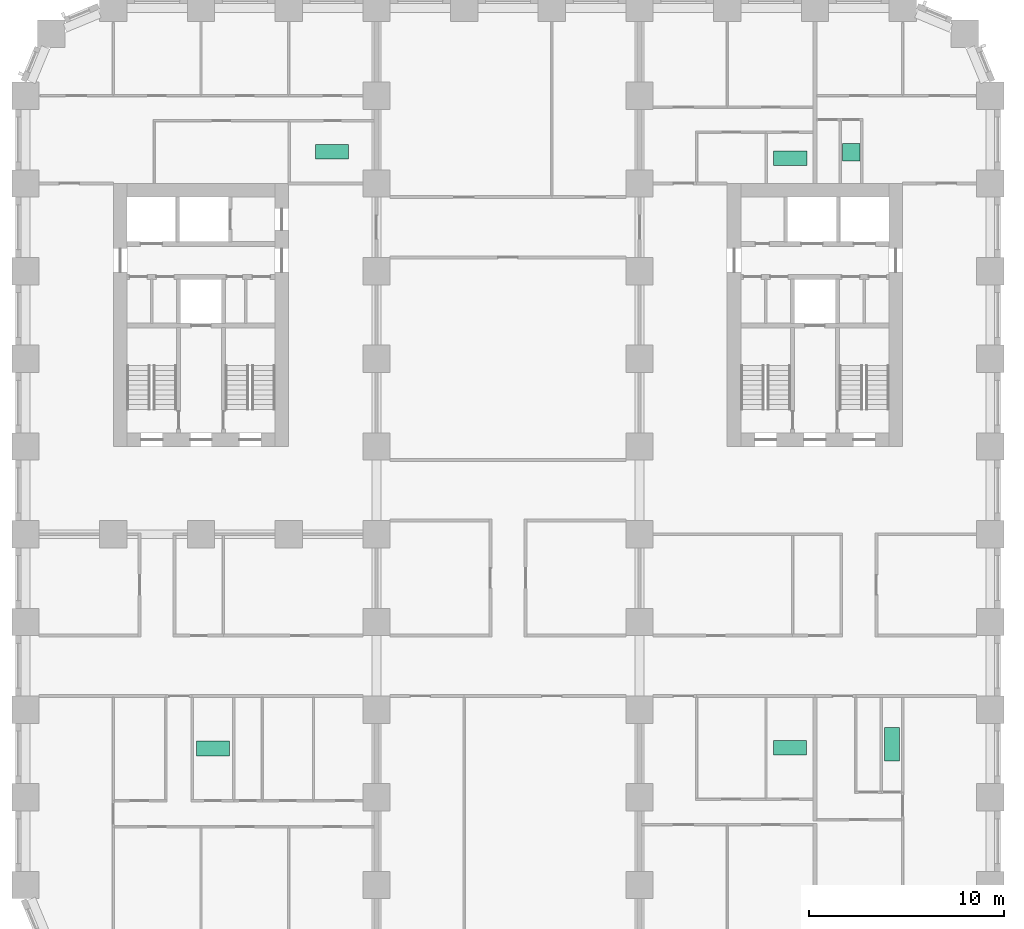
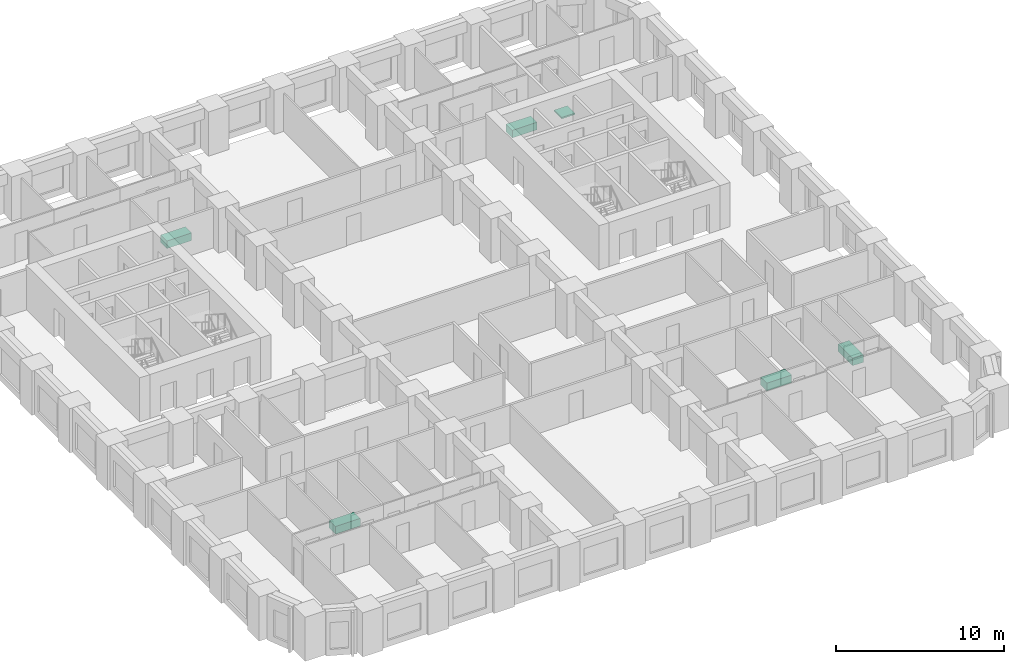
# One storey, part 12 of 12: 6 sanitary terminals.
"""IFC4 building model written with IfcOpenShell, lengths in metres."""

from ifc_helpers import new_model, si_unit, direction, frame, origin, origin_2d, place, context, subcontext, project, spatial, rectangle, extrude, material, type_object, element, save


model = new_model("IFC4")

# Units and contexts
model_context = context("Model", 3, precision=1e-05, world=origin(), true_north=direction((0.0, 1.0)))
body_context = subcontext(model_context, "Body", "Model", "MODEL_VIEW")
ifc_project = project(units=[si_unit("LENGTHUNIT", "METRE"), si_unit("AREAUNIT", "SQUARE_METRE"), si_unit("VOLUMEUNIT", "CUBIC_METRE"), si_unit("PLANEANGLEUNIT", "RADIAN"), si_unit("MASSUNIT", "GRAM", prefix="KILO")], contexts=[model_context])

# Site, building, storey
site_placement = place(None, origin())
site = spatial("IfcSite", under=ifc_project, at=site_placement, CompositionType="ELEMENT")
building_placement = place(site_placement, origin())
building = spatial("IfcBuilding", under=site, at=building_placement, Name="Girih Gate Residences", CompositionType="ELEMENT")
storey_placement = place(building_placement, frame((0.0, 0.0, 59.199951171875)))
storey = spatial("IfcBuildingStorey", under=building, at=storey_placement, Name="L15", CompositionType="ELEMENT", Elevation=59.199951171875)

# Sanitary terminals
ifc_material = material(Name="Acrylic")
sanitary_terminal_type_1 = type_object("IfcSanitaryTerminalType", Name="Bath 1700", PredefinedType="BATH", material=ifc_material)
for number, where, z_axis, x_axis, name in (
    (1, (9.616943359375, 11.50390625, 0.0), (0.0, 0.0, 1.0), (1.0, 0.0, 0.0), "Bath 1700 L15"),
    (2, (15.72802734375, 42.115966796875, 0.0), (0.0, 0.0, 1.0), (1.0, 0.0, 0.0), "Bath 1700 L15"),
):
    element("IfcSanitaryTerminal", number, at=place(storey_placement, frame(where, z_axis=z_axis, x_axis=x_axis)), inside=storey, type_object=sanitary_terminal_type_1, Name=name, PredefinedType="BATH", context=body_context, shape_type="SweptSolid", body=[
        extrude(rectangle(XDim=1.699951171875, YDim=0.75, at=origin_2d()), origin(), (0.0, 0.0, 1.0), 0.550048828125),
    ])
sanitary_terminal_1_placement = place(storey_placement, frame((44.4541015625, 11.72412109375, 0.0), z_axis=(0.0, 0.0, 1.0), x_axis=(1.0, 0.0, 0.0)))
element("IfcSanitaryTerminal", 3, at=sanitary_terminal_1_placement, inside=storey, type_object=sanitary_terminal_type_1, Name="Bath 1700 L15", PredefinedType="BATH", context=body_context, shape_type="SweptSolid", body=[
    extrude(rectangle(XDim=0.75, YDim=1.699951171875, at=origin_2d()), origin(), (0.0, 0.0, 1.0), 0.550048828125),
])
for number, where, z_axis, x_axis, name in (
    (4, (39.22509765625, 11.5439453125, 0.0), (0.0, 0.0, 1.0), (1.0, 0.0, 0.0), "Bath 1700 L15"),
    (5, (39.23095703125, 41.783935546875, 0.0), (0.0, 0.0, 1.0), (1.0, 0.0, 0.0), "Bath 1700 L15"),
):
    element("IfcSanitaryTerminal", number, at=place(storey_placement, frame(where, z_axis=z_axis, x_axis=x_axis)), inside=storey, type_object=sanitary_terminal_type_1, Name=name, PredefinedType="BATH", context=body_context, shape_type="SweptSolid", body=[
        extrude(rectangle(XDim=1.699951171875, YDim=0.75, at=origin_2d()), origin(), (0.0, 0.0, 1.0), 0.550048828125),
    ])
sanitary_terminal_type_2 = type_object("IfcSanitaryTerminalType", Name="Shower tray 900", PredefinedType="SHOWER", material=ifc_material)
sanitary_terminal_2_placement = place(storey_placement, frame((42.35498046875, 42.09912109375, 0.0), z_axis=(0.0, 0.0, 1.0), x_axis=(1.0, 0.0, 0.0)))
element("IfcSanitaryTerminal", 6, at=sanitary_terminal_2_placement, inside=storey, type_object=sanitary_terminal_type_2, Name="Shower tray 900 L15", PredefinedType="SHOWER", context=body_context, shape_type="SweptSolid", body=[
    extrude(rectangle(XDim=0.89990234375, YDim=0.89990234375, at=origin_2d()), origin(), (0.0, 0.0, 1.0), 0.10009765625),
])

save(model, "model.ifc")
